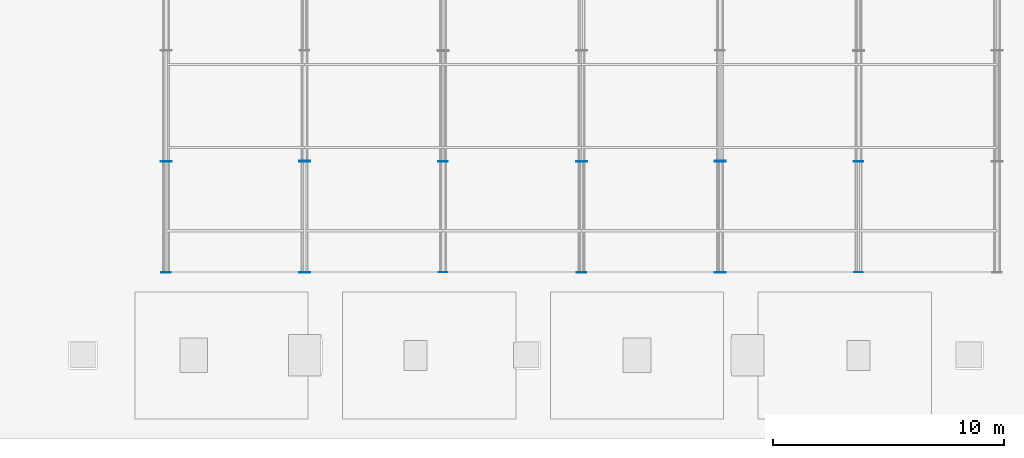
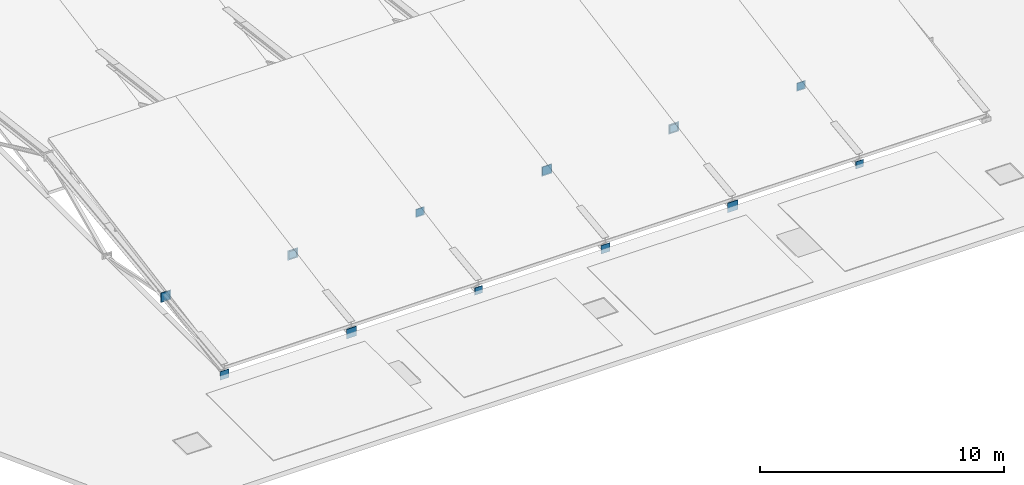
# One storey, part 14 of 32: 18 plates.
"""IFC4 building model written with IfcOpenShell, lengths in metres."""

from ifc_helpers import new_model, si_unit, direction, frame, origin, origin_2d, place, context, subcontext, project, spatial, rectangle, extrude, material, layer, layer_set, type_object, element, save


model = new_model("IFC4")

# Units and contexts
model_context = context("Model", 3, precision=1e-05, world=origin(), true_north=direction((0.0, 1.0)))
body_context = subcontext(model_context, "Body", "Model", "MODEL_VIEW")
ifc_project = project(units=[si_unit("LENGTHUNIT", "METRE"), si_unit("AREAUNIT", "SQUARE_METRE"), si_unit("VOLUMEUNIT", "CUBIC_METRE"), si_unit("PLANEANGLEUNIT", "RADIAN"), si_unit("MASSUNIT", "GRAM", prefix="KILO")], contexts=[model_context])

# Site, building, storey
site_placement = place(None, origin())
site = spatial("IfcSite", under=ifc_project, at=site_placement, CompositionType="ELEMENT")
building_placement = place(site_placement, origin())
building = spatial("IfcBuilding", under=site, at=building_placement, Name="Brisavento Harbour Community Centre", CompositionType="ELEMENT")
storey_placement = place(building_placement, frame((0.0, 0.0, 12.89990234375)))
storey = spatial("IfcBuildingStorey", under=building, at=storey_placement, Name="L03", CompositionType="ELEMENT", Elevation=12.89990234375)

# Plates
ifc_material = material(Name="Steel S355", Category="steel")
ifc_layer_1 = layer(ifc_material, 0.01611328125, Name="Steel S355")
ifc_layer_set_1 = layer_set([ifc_layer_1], Name="Steel S355")
plate_type_1 = type_object("IfcPlateType", Name="PLT-GUS-1", PredefinedType="USERDEFINED", material=ifc_layer_set_1)
for number, where, z_axis, x_axis, name in (
    (1, (135.60009765625, 91.196044921875, 0.82080078125), (0.0, 0.0, 1.0), (0.0, 1.0, 0.0), "V4-TR2-DG2 hollow-end cap plate 1"),
    (2, (141.60009765625, 86.39599609375, -0.1806640625), (0.0, 0.0, 1.0), (0.0, 1.0, 0.0), "V4-TR3-DG1 hollow-end cap plate 1"),
    (3, (141.60009765625, 91.203857421875, 0.82080078125), (0.0, 0.0, 1.0), (0.0, 1.0, 0.0), "V4-TR3-DG1 hollow-end cap plate 2"),
    (4, (153.60009765625, 91.196044921875, 0.82080078125), (0.0, 0.0, 1.0), (0.0, 1.0, 0.0), "V4-TR5-DG2 hollow-end cap plate 1"),
    (5, (159.60009765625, 86.39599609375, -0.1806640625), (0.0, 0.0, 1.0), (0.0, 1.0, 0.0), "V4-TR6-DG1 hollow-end cap plate 1"),
    (6, (159.60009765625, 91.203857421875, 0.82080078125), (0.0, 0.0, 1.0), (0.0, 1.0, 0.0), "V4-TR6-DG1 hollow-end cap plate 2"),
):
    element("IfcPlate", number, at=place(storey_placement, frame(where, z_axis=z_axis, x_axis=x_axis)), inside=storey, type_object=plate_type_1, Name=name, ObjectType="GUSSET PLATE", PredefinedType="USERDEFINED", context=body_context, shape_type="SweptSolid", body=[
        extrude(rectangle(XDim=0.01611328125, YDim=0.360107421875, at=origin_2d()), origin(), (0.0, 0.0, 1.0), 0.360107421875),
    ])
ifc_layer_2 = layer(ifc_material, 0.02001953125, Name="Steel S355")
ifc_layer_set_2 = layer_set([ifc_layer_2], Name="Steel S355")
plate_type_2 = type_object("IfcPlateType", Name="PLT-GUS-2", PredefinedType="USERDEFINED", material=ifc_layer_set_2)
for number, where, z_axis, x_axis, name in (
    (7, (129.60009765625, 86.39501953125, -0.2109375), (0.0, 0.0, 1.0), (0.0, 1.0, 0.0), "V4-TR1-DG1 hollow-end cap plate 1"),
    (8, (129.60009765625, 91.204833984375, 0.791259765625), (0.0, 0.0, 1.0), (0.0, 1.0, 0.0), "V4-TR1-DG1 hollow-end cap plate 2"),
    (9, (141.60009765625, 91.195068359375, 0.791259765625), (0.0, 0.0, 1.0), (0.0, 1.0, 0.0), "V4-TR3-DG2 hollow-end cap plate 1"),
    (10, (147.60009765625, 86.39501953125, -0.2109375), (0.0, 0.0, 1.0), (0.0, 1.0, 0.0), "V4-TR4-DG1 hollow-end cap plate 1"),
    (11, (147.60009765625, 91.204833984375, 0.791259765625), (0.0, 0.0, 1.0), (0.0, 1.0, 0.0), "V4-TR4-DG1 hollow-end cap plate 2"),
    (12, (159.60009765625, 91.195068359375, 0.791259765625), (0.0, 0.0, 1.0), (0.0, 1.0, 0.0), "V4-TR6-DG2 hollow-end cap plate 1"),
):
    element("IfcPlate", number, at=place(storey_placement, frame(where, z_axis=z_axis, x_axis=x_axis)), inside=storey, type_object=plate_type_2, Name=name, ObjectType="GUSSET PLATE", PredefinedType="USERDEFINED", context=body_context, shape_type="SweptSolid", body=[
        extrude(rectangle(XDim=0.02001953125, YDim=0.419921875, at=origin_2d()), origin(), (0.0, 0.0, 1.0), 0.419921875),
    ])
ifc_layer_3 = layer(ifc_material, 0.02392578125, Name="Steel S355")
ifc_layer_set_3 = layer_set([ifc_layer_3], Name="Steel S355")
plate_type_3 = type_object("IfcPlateType", Name="PLT-GUS-3", PredefinedType="USERDEFINED", material=ifc_layer_set_3)
for number, where, z_axis, x_axis, name in (
    (13, (129.60009765625, 91.194091796875, 0.76123046875), (0.0, 0.0, 1.0), (0.0, 1.0, 0.0), "V4-TR1-DG2 hollow-end cap plate 1"),
    (14, (135.60009765625, 86.39404296875, -0.2412109375), (0.0, 0.0, 1.0), (0.0, 1.0, 0.0), "V4-TR2-DG1 hollow-end cap plate 1"),
    (15, (135.60009765625, 91.205810546875, 0.76123046875), (0.0, 0.0, 1.0), (0.0, 1.0, 0.0), "V4-TR2-DG1 hollow-end cap plate 2"),
    (16, (147.60009765625, 91.194091796875, 0.76123046875), (0.0, 0.0, 1.0), (0.0, 1.0, 0.0), "V4-TR4-DG2 hollow-end cap plate 1"),
    (17, (153.60009765625, 86.39404296875, -0.2412109375), (0.0, 0.0, 1.0), (0.0, 1.0, 0.0), "V4-TR5-DG1 hollow-end cap plate 1"),
    (18, (153.60009765625, 91.205810546875, 0.76123046875), (0.0, 0.0, 1.0), (0.0, 1.0, 0.0), "V4-TR5-DG1 hollow-end cap plate 2"),
):
    element("IfcPlate", number, at=place(storey_placement, frame(where, z_axis=z_axis, x_axis=x_axis)), inside=storey, type_object=plate_type_3, Name=name, ObjectType="GUSSET PLATE", PredefinedType="USERDEFINED", context=body_context, shape_type="SweptSolid", body=[
        extrude(rectangle(XDim=0.02392578125, YDim=0.47998046875, at=origin_2d()), origin(), (0.0, 0.0, 1.0), 0.47998046875),
    ])

save(model, "model.ifc")
